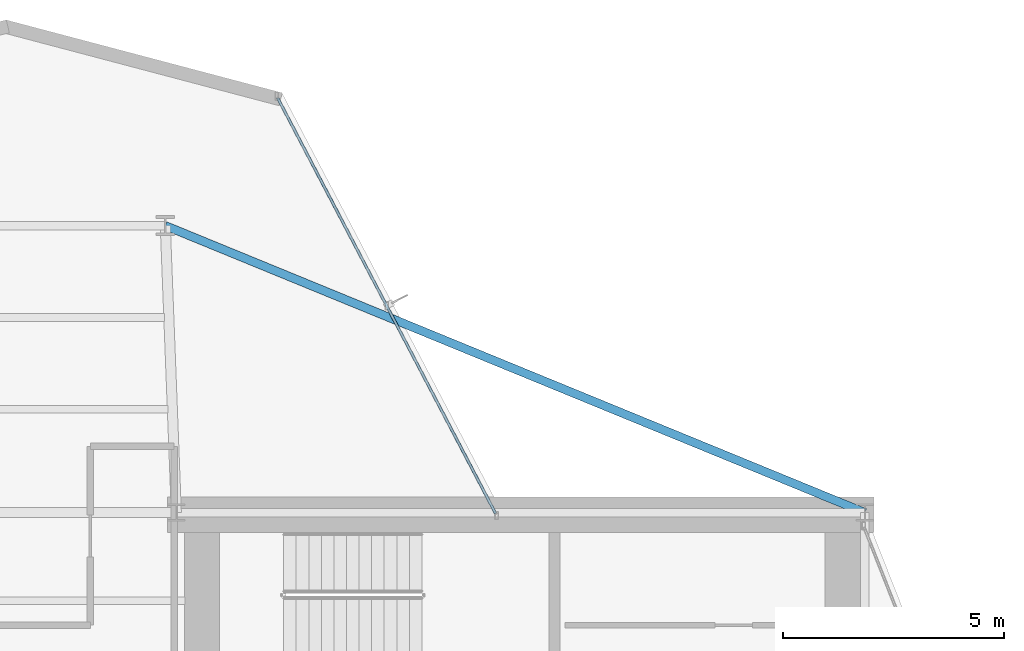
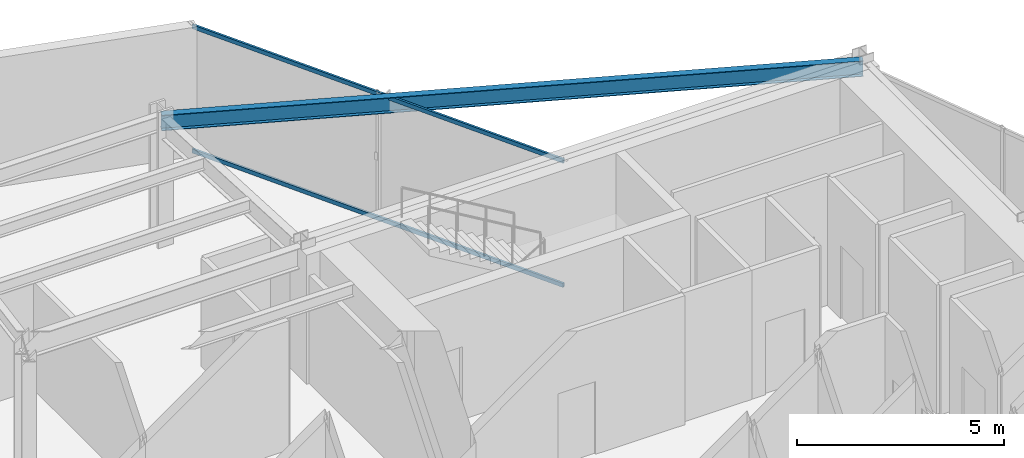
# One storey, part 16 of 25: 2 members, 1 beam, 1 element without a shape of its own.
"""IFC4 building model written with IfcOpenShell, lengths in metres."""

from ifc_helpers import new_model, si_unit, direction, frame, origin, origin_2d, place, context, subcontext, project, spatial, hollow_rectangle, i_section, extrude, material, layer, layer_set, material_profile, profile_set, type_object, element, aggregate, save


model = new_model("IFC4")

# Units and contexts
model_context = context("Model", 3, precision=1e-05, world=origin(), true_north=direction((0.0, 1.0)))
body_context = subcontext(model_context, "Body", "Model", "MODEL_VIEW")
ifc_project = project(units=[si_unit("LENGTHUNIT", "METRE"), si_unit("AREAUNIT", "SQUARE_METRE"), si_unit("VOLUMEUNIT", "CUBIC_METRE"), si_unit("PLANEANGLEUNIT", "RADIAN"), si_unit("MASSUNIT", "GRAM", prefix="KILO")], contexts=[model_context])

# Site, building, storey
site_placement = place(None, origin())
site = spatial("IfcSite", under=ifc_project, at=site_placement, CompositionType="ELEMENT")
building_placement = place(site_placement, origin())
building = spatial("IfcBuilding", under=site, at=building_placement, Name="Veymaron Broadcast Tower", CompositionType="ELEMENT")
storey_placement = place(building_placement, frame((0.0, 0.0, 141.14990234375)))
storey = spatial("IfcBuildingStorey", under=building, at=storey_placement, Name="L32", CompositionType="ELEMENT", Elevation=141.14990234375)

# Beam
ifc_material_1 = material(Name="Structural steel ASTM A992 Gr 50", Category="steel")
ifc_material_profile_1 = material_profile(ifc_material_1, i_section(OverallWidth=0.19091796875, OverallDepth=0.4599609375, WebThickness=0.010009765625, FlangeThickness=0.01611328125, at=origin_2d()), Name="W460X82")
ifc_profile_set_1 = profile_set([ifc_material_profile_1], Name="Structural steel ASTM A992 Gr 50")
beam_type = type_object("IfcBeamType", Name="BM-SP1", PredefinedType="SPANDREL", material=ifc_profile_set_1)
beam_placement = place(storey_placement, frame((54.60009765625, 32.0, 3.580078125), z_axis=(-0.925221989394, 0.379426238342, 0.0), x_axis=(-0.379426238342, -0.925221989394, 0.0)))
element("IfcBeam", 1, at=beam_placement, inside=storey, type_object=beam_type, Name="L32 primary structural floor girder", PredefinedType="SPANDREL", context=body_context, shape_type="SweptSolid", body=[
    extrude(i_section(OverallWidth=0.19091796875, OverallDepth=0.4599609375, WebThickness=0.010009765625, FlangeThickness=0.01611328125, at=origin_2d()), origin(), (0.0, 0.0, 1.0), 17.131103515625),
])

# Curtain wall, members
ifc_material_2 = material(Name="Anodised aluminium AA 6063-T6 and laminated low-E dark glass", Category="aluminium")
ifc_layer = layer(ifc_material_2, 0.179931640625)
ifc_layer_set = layer_set([ifc_layer], Name="Anodised aluminium AA 6063-T6 and laminated low-E dark glass")
curtain_wall_type = type_object("IfcCurtainWallType", Name="CW-SYS-03", PredefinedType="NOTDEFINED", material=ifc_layer_set)
curtain_wall_placement = place(storey_placement, origin())
curtain_wall = element("IfcCurtainWall", 2, at=curtain_wall_placement, inside=storey, type_object=curtain_wall_type, Name="L32 dark-glass curtain wall CW-L32-E5-1", PredefinedType="NOTDEFINED")
ifc_material_3 = material(Name="Anodised aluminium AA 6063-T6", Category="aluminium")
ifc_material_profile_2 = material_profile(ifc_material_3, hollow_rectangle(XDim=0.06005859375, YDim=0.1201171875, WallThickness=0.00390625, at=origin_2d()), Name="AL120X60X4")
ifc_profile_set_2 = profile_set([ifc_material_profile_2], Name="Anodised aluminium AA 6063-T6")
member_type = type_object("IfcMemberType", Name="CW-TRN-02", PredefinedType="USERDEFINED", material=ifc_profile_set_2)
member_1_placement = place(storey_placement, frame((46.233154296875, 31.979248046875, 0.070068359375), z_axis=(-0.464469622178, 0.885589052594, 0.0), x_axis=(-0.885589052594, -0.464469622178, 0.0)))
member_1 = element("IfcMember", 3, at=member_1_placement, type_object=member_type, Name="CW-L32-E5-1 transom B", ObjectType="TRANSOM", PredefinedType="USERDEFINED", context=body_context, shape_type="SweptSolid", body=[
    extrude(hollow_rectangle(XDim=0.06005859375, YDim=0.1201171875, WallThickness=0.00390625, at=origin_2d()), origin(), (0.0, 0.0, 1.0), 10.627197265625),
])
member_2_placement = place(storey_placement, frame((46.233154296875, 31.979248046875, 3.739990234375), z_axis=(-0.464469622178, 0.885589052594, 0.0), x_axis=(-0.885589052594, -0.464469622178, 0.0)))
member_2 = element("IfcMember", 4, at=member_2_placement, type_object=member_type, Name="CW-L32-E5-1 transom T", ObjectType="TRANSOM", PredefinedType="USERDEFINED", context=body_context, shape_type="SweptSolid", body=[
    extrude(hollow_rectangle(XDim=0.06005859375, YDim=0.1201171875, WallThickness=0.00390625, at=origin_2d()), origin(), (0.0, 0.0, 1.0), 10.627197265625),
])
aggregate(curtain_wall, [member_1, member_2])

save(model, "model.ifc")
